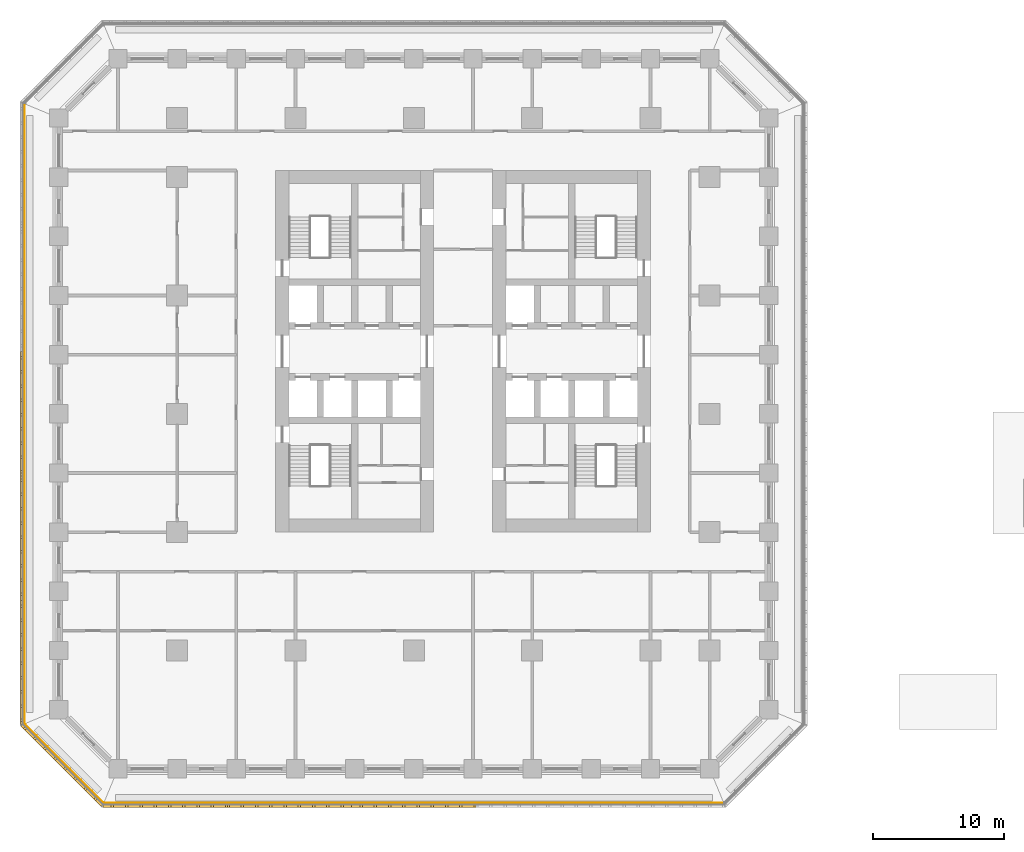
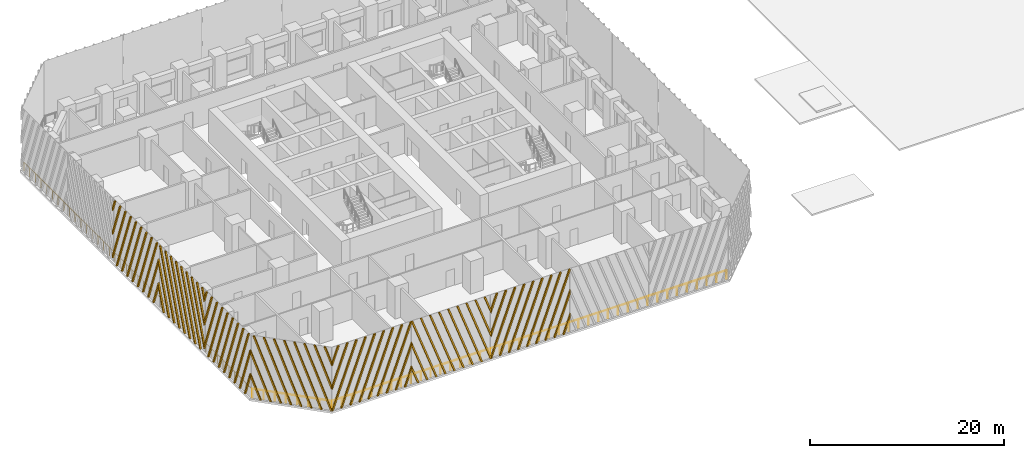
# One storey, part 10 of 15: 7 shading devices, 3 railings.
"""IFC4 building model written with IfcOpenShell, lengths in metres."""

from ifc_helpers import new_model, si_unit, direction, frame, origin, origin_2d, place, context, subcontext, project, spatial, polyline, circle, outline, extrude, source, transform, mapped, material, type_object, element, save


model = new_model("IFC4")

# Units and contexts
model_context = context("Model", 3, precision=1e-05, world=origin(), true_north=direction((0.0, 1.0)))
body_context = subcontext(model_context, "Body", "Model", "MODEL_VIEW")
ifc_project = project(units=[si_unit("LENGTHUNIT", "METRE"), si_unit("AREAUNIT", "SQUARE_METRE"), si_unit("VOLUMEUNIT", "CUBIC_METRE"), si_unit("PLANEANGLEUNIT", "RADIAN"), si_unit("MASSUNIT", "GRAM", prefix="KILO")], contexts=[model_context])

# Site, building, storey
site_placement = place(None, origin())
site = spatial("IfcSite", under=ifc_project, at=site_placement, CompositionType="ELEMENT")
building_placement = place(site_placement, origin())
building = spatial("IfcBuilding", under=site, at=building_placement, Name="Corbel Stack Research Tower", CompositionType="ELEMENT")
storey_placement = place(building_placement, frame((0.0, 0.0, 23.60009765625)))
storey = spatial("IfcBuildingStorey", under=building, at=storey_placement, Name="L05", CompositionType="ELEMENT", Elevation=23.60009765625)

# Railings
ifc_material_1 = material(Name="Powder-coated steel guard", Category="steel")
railing_type = type_object("IfcRailingType", Name="Steel and glass guard 1100", PredefinedType="GUARDRAIL", material=ifc_material_1)
railing_1_placement = place(storey_placement, frame((-23.50537109375, -29.60009765625, 0.0)))
element("IfcRailing", 1, at=railing_1_placement, inside=storey, type_object=railing_type, Name="Loggia guard L05 S", PredefinedType="GUARDRAIL", context=body_context, shape_type="SweptSolid", body=[
    extrude(circle(Radius=0.02392578125, at=origin_2d()), frame((0.0, 0.0, 1.076171875), z_axis=(1.0, 0.0, 0.0), x_axis=(0.0, 1.0, 0.0)), (0.0, 0.0, 1.0), 47.0107421875),
    extrude(circle(Radius=0.02099609375, at=origin_2d()), origin(), (0.0, 0.0, 1.0), 1.052001953125),
    extrude(circle(Radius=0.02099609375, at=origin_2d()), frame((1.17529296875, 0.0, 0.0)), (0.0, 0.0, 1.0), 1.052001953125),
    extrude(circle(Radius=0.02099609375, at=origin_2d()), frame((2.3505859375, 0.0, 0.0)), (0.0, 0.0, 1.0), 1.052001953125),
    extrude(circle(Radius=0.02099609375, at=origin_2d()), frame((3.52587890625, 0.0, 0.0)), (0.0, 0.0, 1.0), 1.052001953125),
    extrude(circle(Radius=0.02099609375, at=origin_2d()), frame((4.701171875, 0.0, 0.0)), (0.0, 0.0, 1.0), 1.052001953125),
    extrude(circle(Radius=0.02099609375, at=origin_2d()), frame((5.87646484375, 0.0, 0.0)), (0.0, 0.0, 1.0), 1.052001953125),
    extrude(circle(Radius=0.02099609375, at=origin_2d()), frame((7.051513671875, 0.0, 0.0)), (0.0, 0.0, 1.0), 1.052001953125),
    extrude(circle(Radius=0.02099609375, at=origin_2d()), frame((8.226806640625, 0.0, 0.0)), (0.0, 0.0, 1.0), 1.052001953125),
    extrude(circle(Radius=0.02099609375, at=origin_2d()), frame((9.402099609375, 0.0, 0.0)), (0.0, 0.0, 1.0), 1.052001953125),
    extrude(circle(Radius=0.02099609375, at=origin_2d()), frame((10.577392578125, 0.0, 0.0)), (0.0, 0.0, 1.0), 1.052001953125),
    extrude(circle(Radius=0.02099609375, at=origin_2d()), frame((11.752685546875, 0.0, 0.0)), (0.0, 0.0, 1.0), 1.052001953125),
    extrude(circle(Radius=0.02099609375, at=origin_2d()), frame((12.927978515625, 0.0, 0.0)), (0.0, 0.0, 1.0), 1.052001953125),
    extrude(circle(Radius=0.02099609375, at=origin_2d()), frame((14.103271484375, 0.0, 0.0)), (0.0, 0.0, 1.0), 1.052001953125),
    extrude(circle(Radius=0.02099609375, at=origin_2d()), frame((15.278564453125, 0.0, 0.0)), (0.0, 0.0, 1.0), 1.052001953125),
    extrude(circle(Radius=0.02099609375, at=origin_2d()), frame((16.453857421875, 0.0, 0.0)), (0.0, 0.0, 1.0), 1.052001953125),
    extrude(circle(Radius=0.02099609375, at=origin_2d()), frame((17.62890625, 0.0, 0.0)), (0.0, 0.0, 1.0), 1.052001953125),
    extrude(circle(Radius=0.02099609375, at=origin_2d()), frame((18.80419921875, 0.0, 0.0)), (0.0, 0.0, 1.0), 1.052001953125),
    extrude(circle(Radius=0.02099609375, at=origin_2d()), frame((19.9794921875, 0.0, 0.0)), (0.0, 0.0, 1.0), 1.052001953125),
    extrude(circle(Radius=0.02099609375, at=origin_2d()), frame((21.15478515625, 0.0, 0.0)), (0.0, 0.0, 1.0), 1.052001953125),
    extrude(circle(Radius=0.02099609375, at=origin_2d()), frame((22.330078125, 0.0, 0.0)), (0.0, 0.0, 1.0), 1.052001953125),
    extrude(circle(Radius=0.02099609375, at=origin_2d()), frame((23.50537109375, 0.0, 0.0)), (0.0, 0.0, 1.0), 1.052001953125),
    extrude(circle(Radius=0.02099609375, at=origin_2d()), frame((24.6806640625, 0.0, 0.0)), (0.0, 0.0, 1.0), 1.052001953125),
    extrude(circle(Radius=0.02099609375, at=origin_2d()), frame((25.85595703125, 0.0, 0.0)), (0.0, 0.0, 1.0), 1.052001953125),
    extrude(circle(Radius=0.02099609375, at=origin_2d()), frame((27.03125, 0.0, 0.0)), (0.0, 0.0, 1.0), 1.052001953125),
    extrude(circle(Radius=0.02099609375, at=origin_2d()), frame((28.20654296875, 0.0, 0.0)), (0.0, 0.0, 1.0), 1.052001953125),
    extrude(circle(Radius=0.02099609375, at=origin_2d()), frame((29.3818359375, 0.0, 0.0)), (0.0, 0.0, 1.0), 1.052001953125),
    extrude(circle(Radius=0.02099609375, at=origin_2d()), frame((30.556884765625, 0.0, 0.0)), (0.0, 0.0, 1.0), 1.052001953125),
    extrude(circle(Radius=0.02099609375, at=origin_2d()), frame((31.732177734375, 0.0, 0.0)), (0.0, 0.0, 1.0), 1.052001953125),
    extrude(circle(Radius=0.02099609375, at=origin_2d()), frame((32.907470703125, 0.0, 0.0)), (0.0, 0.0, 1.0), 1.052001953125),
    extrude(circle(Radius=0.02099609375, at=origin_2d()), frame((34.082763671875, 0.0, 0.0)), (0.0, 0.0, 1.0), 1.052001953125),
    extrude(circle(Radius=0.02099609375, at=origin_2d()), frame((35.258056640625, 0.0, 0.0)), (0.0, 0.0, 1.0), 1.052001953125),
    extrude(circle(Radius=0.02099609375, at=origin_2d()), frame((36.433349609375, 0.0, 0.0)), (0.0, 0.0, 1.0), 1.052001953125),
    extrude(circle(Radius=0.02099609375, at=origin_2d()), frame((37.608642578125, 0.0, 0.0)), (0.0, 0.0, 1.0), 1.052001953125),
    extrude(circle(Radius=0.02099609375, at=origin_2d()), frame((38.783935546875, 0.0, 0.0)), (0.0, 0.0, 1.0), 1.052001953125),
    extrude(circle(Radius=0.02099609375, at=origin_2d()), frame((39.959228515625, 0.0, 0.0)), (0.0, 0.0, 1.0), 1.052001953125),
    extrude(circle(Radius=0.02099609375, at=origin_2d()), frame((41.13427734375, 0.0, 0.0)), (0.0, 0.0, 1.0), 1.052001953125),
    extrude(circle(Radius=0.02099609375, at=origin_2d()), frame((42.3095703125, 0.0, 0.0)), (0.0, 0.0, 1.0), 1.052001953125),
    extrude(circle(Radius=0.02099609375, at=origin_2d()), frame((43.48486328125, 0.0, 0.0)), (0.0, 0.0, 1.0), 1.052001953125),
    extrude(circle(Radius=0.02099609375, at=origin_2d()), frame((44.66015625, 0.0, 0.0)), (0.0, 0.0, 1.0), 1.052001953125),
    extrude(circle(Radius=0.02099609375, at=origin_2d()), frame((45.83544921875, 0.0, 0.0)), (0.0, 0.0, 1.0), 1.052001953125),
    extrude(circle(Radius=0.02099609375, at=origin_2d()), frame((47.0107421875, 0.0, 0.0)), (0.0, 0.0, 1.0), 1.052001953125),
])
railing_2_placement = place(storey_placement, frame((-29.60009765625, 23.50537109375, 0.0)))
element("IfcRailing", 2, at=railing_2_placement, inside=storey, type_object=railing_type, Name="Loggia guard L05 W", PredefinedType="GUARDRAIL", context=body_context, shape_type="SweptSolid", body=[
    extrude(circle(Radius=0.02392578125, at=origin_2d()), frame((0.0, 0.0, 1.076171875), z_axis=(0.0, -1.0, 0.0), x_axis=(1.0, 0.0, 0.0)), (0.0, 0.0, 1.0), 47.0107421875),
    extrude(circle(Radius=0.02099609375, at=origin_2d()), origin(), (0.0, 0.0, 1.0), 1.052001953125),
    extrude(circle(Radius=0.02099609375, at=origin_2d()), frame((0.0, -1.17529296875, 0.0)), (0.0, 0.0, 1.0), 1.052001953125),
    extrude(circle(Radius=0.02099609375, at=origin_2d()), frame((0.0, -2.3505859375, 0.0)), (0.0, 0.0, 1.0), 1.052001953125),
    extrude(circle(Radius=0.02099609375, at=origin_2d()), frame((0.0, -3.52587890625, 0.0)), (0.0, 0.0, 1.0), 1.052001953125),
    extrude(circle(Radius=0.02099609375, at=origin_2d()), frame((0.0, -4.701171875, 0.0)), (0.0, 0.0, 1.0), 1.052001953125),
    extrude(circle(Radius=0.02099609375, at=origin_2d()), frame((0.0, -5.87646484375, 0.0)), (0.0, 0.0, 1.0), 1.052001953125),
    extrude(circle(Radius=0.02099609375, at=origin_2d()), frame((0.0, -7.051513671875, 0.0)), (0.0, 0.0, 1.0), 1.052001953125),
    extrude(circle(Radius=0.02099609375, at=origin_2d()), frame((0.0, -8.226806640625, 0.0)), (0.0, 0.0, 1.0), 1.052001953125),
    extrude(circle(Radius=0.02099609375, at=origin_2d()), frame((0.0, -9.402099609375, 0.0)), (0.0, 0.0, 1.0), 1.052001953125),
    extrude(circle(Radius=0.02099609375, at=origin_2d()), frame((0.0, -10.577392578125, 0.0)), (0.0, 0.0, 1.0), 1.052001953125),
    extrude(circle(Radius=0.02099609375, at=origin_2d()), frame((0.0, -11.752685546875, 0.0)), (0.0, 0.0, 1.0), 1.052001953125),
    extrude(circle(Radius=0.02099609375, at=origin_2d()), frame((0.0, -12.927978515625, 0.0)), (0.0, 0.0, 1.0), 1.052001953125),
    extrude(circle(Radius=0.02099609375, at=origin_2d()), frame((0.0, -14.103271484375, 0.0)), (0.0, 0.0, 1.0), 1.052001953125),
    extrude(circle(Radius=0.02099609375, at=origin_2d()), frame((0.0, -15.278564453125, 0.0)), (0.0, 0.0, 1.0), 1.052001953125),
    extrude(circle(Radius=0.02099609375, at=origin_2d()), frame((0.0, -16.453857421875, 0.0)), (0.0, 0.0, 1.0), 1.052001953125),
    extrude(circle(Radius=0.02099609375, at=origin_2d()), frame((0.0, -17.62890625, 0.0)), (0.0, 0.0, 1.0), 1.052001953125),
    extrude(circle(Radius=0.02099609375, at=origin_2d()), frame((0.0, -18.80419921875, 0.0)), (0.0, 0.0, 1.0), 1.052001953125),
    extrude(circle(Radius=0.02099609375, at=origin_2d()), frame((0.0, -19.9794921875, 0.0)), (0.0, 0.0, 1.0), 1.052001953125),
    extrude(circle(Radius=0.02099609375, at=origin_2d()), frame((0.0, -21.15478515625, 0.0)), (0.0, 0.0, 1.0), 1.052001953125),
    extrude(circle(Radius=0.02099609375, at=origin_2d()), frame((0.0, -22.330078125, 0.0)), (0.0, 0.0, 1.0), 1.052001953125),
    extrude(circle(Radius=0.02099609375, at=origin_2d()), frame((0.0, -23.50537109375, 0.0)), (0.0, 0.0, 1.0), 1.052001953125),
    extrude(circle(Radius=0.02099609375, at=origin_2d()), frame((0.0, -24.6806640625, 0.0)), (0.0, 0.0, 1.0), 1.052001953125),
    extrude(circle(Radius=0.02099609375, at=origin_2d()), frame((0.0, -25.85595703125, 0.0)), (0.0, 0.0, 1.0), 1.052001953125),
    extrude(circle(Radius=0.02099609375, at=origin_2d()), frame((0.0, -27.03125, 0.0)), (0.0, 0.0, 1.0), 1.052001953125),
    extrude(circle(Radius=0.02099609375, at=origin_2d()), frame((0.0, -28.20654296875, 0.0)), (0.0, 0.0, 1.0), 1.052001953125),
    extrude(circle(Radius=0.02099609375, at=origin_2d()), frame((0.0, -29.3818359375, 0.0)), (0.0, 0.0, 1.0), 1.052001953125),
    extrude(circle(Radius=0.02099609375, at=origin_2d()), frame((0.0, -30.556884765625, 0.0)), (0.0, 0.0, 1.0), 1.052001953125),
    extrude(circle(Radius=0.02099609375, at=origin_2d()), frame((0.0, -31.732177734375, 0.0)), (0.0, 0.0, 1.0), 1.052001953125),
    extrude(circle(Radius=0.02099609375, at=origin_2d()), frame((0.0, -32.907470703125, 0.0)), (0.0, 0.0, 1.0), 1.052001953125),
    extrude(circle(Radius=0.02099609375, at=origin_2d()), frame((0.0, -34.082763671875, 0.0)), (0.0, 0.0, 1.0), 1.052001953125),
    extrude(circle(Radius=0.02099609375, at=origin_2d()), frame((0.0, -35.258056640625, 0.0)), (0.0, 0.0, 1.0), 1.052001953125),
    extrude(circle(Radius=0.02099609375, at=origin_2d()), frame((0.0, -36.433349609375, 0.0)), (0.0, 0.0, 1.0), 1.052001953125),
    extrude(circle(Radius=0.02099609375, at=origin_2d()), frame((0.0, -37.608642578125, 0.0)), (0.0, 0.0, 1.0), 1.052001953125),
    extrude(circle(Radius=0.02099609375, at=origin_2d()), frame((0.0, -38.783935546875, 0.0)), (0.0, 0.0, 1.0), 1.052001953125),
    extrude(circle(Radius=0.02099609375, at=origin_2d()), frame((0.0, -39.959228515625, 0.0)), (0.0, 0.0, 1.0), 1.052001953125),
    extrude(circle(Radius=0.02099609375, at=origin_2d()), frame((0.0, -41.13427734375, 0.0)), (0.0, 0.0, 1.0), 1.052001953125),
    extrude(circle(Radius=0.02099609375, at=origin_2d()), frame((0.0, -42.3095703125, 0.0)), (0.0, 0.0, 1.0), 1.052001953125),
    extrude(circle(Radius=0.02099609375, at=origin_2d()), frame((0.0, -43.48486328125, 0.0)), (0.0, 0.0, 1.0), 1.052001953125),
    extrude(circle(Radius=0.02099609375, at=origin_2d()), frame((0.0, -44.66015625, 0.0)), (0.0, 0.0, 1.0), 1.052001953125),
    extrude(circle(Radius=0.02099609375, at=origin_2d()), frame((0.0, -45.83544921875, 0.0)), (0.0, 0.0, 1.0), 1.052001953125),
    extrude(circle(Radius=0.02099609375, at=origin_2d()), frame((0.0, -47.0107421875, 0.0)), (0.0, 0.0, 1.0), 1.052001953125),
])
railing_3_placement = place(storey_placement, frame((-29.54931640625, -23.627685546875, 0.0)))
element("IfcRailing", 3, at=railing_3_placement, inside=storey, type_object=railing_type, Name="Loggia guard L05 SW", PredefinedType="GUARDRAIL", context=body_context, shape_type="SweptSolid", body=[
    extrude(circle(Radius=0.02392578125, at=origin_2d()), frame((0.0, 0.0, 1.076171875), z_axis=(0.707106781187, -0.707106781187, 0.0), x_axis=(0.707106781187, 0.707106781187, 0.0)), (0.0, 0.0, 1.0), 8.37451171875),
    extrude(circle(Radius=0.02099609375, at=origin_2d()), origin(), (0.0, 0.0, 1.0), 1.052001953125),
    extrude(circle(Radius=0.02099609375, at=origin_2d()), frame((0.845947265625, -0.845947265625, 0.0)), (0.0, 0.0, 1.0), 1.052001953125),
    extrude(circle(Radius=0.02099609375, at=origin_2d()), frame((1.69189453125, -1.69189453125, 0.0)), (0.0, 0.0, 1.0), 1.052001953125),
    extrude(circle(Radius=0.02099609375, at=origin_2d()), frame((2.537841796875, -2.537841796875, 0.0)), (0.0, 0.0, 1.0), 1.052001953125),
    extrude(circle(Radius=0.02099609375, at=origin_2d()), frame((3.3837890625, -3.3837890625, 0.0)), (0.0, 0.0, 1.0), 1.052001953125),
    extrude(circle(Radius=0.02099609375, at=origin_2d()), frame((4.229736328125, -4.229736328125, 0.0)), (0.0, 0.0, 1.0), 1.052001953125),
    extrude(circle(Radius=0.02099609375, at=origin_2d()), frame((5.07568359375, -5.07568359375, 0.0)), (0.0, 0.0, 1.0), 1.052001953125),
    extrude(circle(Radius=0.02099609375, at=origin_2d()), frame((5.921630859375, -5.921630859375, 0.0)), (0.0, 0.0, 1.0), 1.052001953125),
])

# Shading devices
ifc_material_2 = material(Name="Precast terracotta", Category="masonry")
shading_device_type = type_object("IfcShadingDeviceType", Name="Terracotta screen panel", PredefinedType="USERDEFINED", material=ifc_material_2)
shared_shape_1 = source(origin(), body_context, "Body", "SweptSolid", [
    extrude(outline(polyline([(0.819091796875, 7.949951171875), (0.629150390625, 7.949951171875), (0.0, 6.22119140625), (0.0, 5.69921875), (0.819091796875, 7.949951171875)])), frame((0.0, 0.0, 0.0), z_axis=(0.0, -1.0, 0.0), x_axis=(1.0, 0.0, 0.0)), (0.0, 0.0, 1.0), 0.179931640625),
    extrude(outline(polyline([(1.90380859375, 7.949951171875), (1.7138671875, 7.949951171875), (0.0, 3.2412109375), (0.0, 2.718994140625), (1.90380859375, 7.949951171875)])), frame((0.0, 0.0, 0.0), z_axis=(0.0, -1.0, 0.0), x_axis=(1.0, 0.0, 0.0)), (0.0, 0.0, 1.0), 0.179931640625),
    extrude(outline(polyline([(0.094970703125, 0.0), (2.988525390625, 7.949951171875), (2.798583984375, 7.949951171875), (0.0, 0.260986328125), (0.0, 0.0), (0.094970703125, 0.0)])), frame((0.0, 0.0, 0.0), z_axis=(0.0, -1.0, 0.0), x_axis=(1.0, 0.0, 0.0)), (0.0, 0.0, 1.0), 0.179931640625),
    extrude(outline(polyline([(1.1796875, 0.0), (4.0732421875, 7.949951171875), (3.88330078125, 7.949951171875), (0.98974609375, 0.0), (1.1796875, 0.0)])), frame((0.0, 0.0, 0.0), z_axis=(0.0, -1.0, 0.0), x_axis=(1.0, 0.0, 0.0)), (0.0, 0.0, 1.0), 0.179931640625),
    extrude(outline(polyline([(2.264404296875, 0.0), (5.157958984375, 7.949951171875), (4.968017578125, 7.949951171875), (2.07421875, 0.0), (2.264404296875, 0.0)])), frame((0.0, 0.0, 0.0), z_axis=(0.0, -1.0, 0.0), x_axis=(1.0, 0.0, 0.0)), (0.0, 0.0, 1.0), 0.179931640625),
    extrude(outline(polyline([(3.34912109375, 0.0), (6.24267578125, 7.949951171875), (6.052490234375, 7.949951171875), (3.158935546875, 0.0), (3.34912109375, 0.0)])), frame((0.0, 0.0, 0.0), z_axis=(0.0, -1.0, 0.0), x_axis=(1.0, 0.0, 0.0)), (0.0, 0.0, 1.0), 0.179931640625),
    extrude(outline(polyline([(4.43359375, 0.0), (7.3271484375, 7.949951171875), (7.13720703125, 7.949951171875), (4.24365234375, 0.0), (4.43359375, 0.0)])), frame((0.0, 0.0, 0.0), z_axis=(0.0, -1.0, 0.0), x_axis=(1.0, 0.0, 0.0)), (0.0, 0.0, 1.0), 0.179931640625),
    extrude(outline(polyline([(5.518310546875, 0.0), (8.411865234375, 7.949951171875), (8.221923828125, 7.949951171875), (5.328369140625, 0.0), (5.518310546875, 0.0)])), frame((0.0, 0.0, 0.0), z_axis=(0.0, -1.0, 0.0), x_axis=(1.0, 0.0, 0.0)), (0.0, 0.0, 1.0), 0.179931640625),
    extrude(outline(polyline([(6.60302734375, 0.0), (9.45556640625, 7.837646484375), (9.45556640625, 7.949951171875), (9.306640625, 7.949951171875), (6.4130859375, 0.0), (6.60302734375, 0.0)])), frame((0.0, 0.0, 0.0), z_axis=(0.0, -1.0, 0.0), x_axis=(1.0, 0.0, 0.0)), (0.0, 0.0, 1.0), 0.179931640625),
    extrude(outline(polyline([(7.687744140625, 0.0), (9.45556640625, 4.857421875), (9.45556640625, 5.37939453125), (7.497802734375, 0.0), (7.687744140625, 0.0)])), frame((0.0, 0.0, 0.0), z_axis=(0.0, -1.0, 0.0), x_axis=(1.0, 0.0, 0.0)), (0.0, 0.0, 1.0), 0.179931640625),
    extrude(outline(polyline([(8.772216796875, 0.0), (9.45556640625, 1.87744140625), (9.45556640625, 2.3994140625), (8.582275390625, 0.0), (8.772216796875, 0.0)])), frame((0.0, 0.0, 0.0), z_axis=(0.0, -1.0, 0.0), x_axis=(1.0, 0.0, 0.0)), (0.0, 0.0, 1.0), 0.179931640625),
])
for number, where, z_axis, x_axis, name in (
    (4, (-23.63916015625, -29.75, 0.0), (0.0, 0.0, 1.0), (1.0, 0.0, 0.0), "Terracotta screen L05 S1"),
    (5, (-4.727783203125, -29.75, 0.0), (0.0, 0.0, 1.0), (1.0, 0.0, 0.0), "Terracotta screen L05 S3"),
):
    element("IfcShadingDevice", number, at=place(storey_placement, frame(where, z_axis=z_axis, x_axis=x_axis)), inside=storey, type_object=shading_device_type, Name=name, ObjectType="SCREEN", PredefinedType="USERDEFINED", context=body_context, shape_type="MappedRepresentation", body=[
        mapped(shared_shape_1, transform((0.0, 0.0, 0.0))),
    ])
shared_shape_2 = source(origin(), body_context, "Body", "SweptSolid", [
    extrude(outline(polyline([(0.873291015625, 0.0), (0.0, 2.3994140625), (0.0, 1.87744140625), (0.683349609375, 0.0), (0.873291015625, 0.0)])), frame((0.0, 0.0, 0.0), z_axis=(0.0, -1.0, 0.0), x_axis=(1.0, 0.0, 0.0)), (0.0, 0.0, 1.0), 0.179931640625),
    extrude(outline(polyline([(1.9580078125, 0.0), (0.0, 5.37939453125), (0.0, 4.857421875), (1.76806640625, 0.0), (1.9580078125, 0.0)])), frame((0.0, 0.0, 0.0), z_axis=(0.0, -1.0, 0.0), x_axis=(1.0, 0.0, 0.0)), (0.0, 0.0, 1.0), 0.179931640625),
    extrude(outline(polyline([(3.04248046875, 0.0), (0.149169921875, 7.949951171875), (0.0, 7.949951171875), (0.0, 7.837646484375), (2.8525390625, 0.0), (3.04248046875, 0.0)])), frame((0.0, 0.0, 0.0), z_axis=(0.0, -1.0, 0.0), x_axis=(1.0, 0.0, 0.0)), (0.0, 0.0, 1.0), 0.179931640625),
    extrude(outline(polyline([(4.127197265625, 0.0), (1.233642578125, 7.949951171875), (1.043701171875, 7.949951171875), (3.937255859375, 0.0), (4.127197265625, 0.0)])), frame((0.0, 0.0, 0.0), z_axis=(0.0, -1.0, 0.0), x_axis=(1.0, 0.0, 0.0)), (0.0, 0.0, 1.0), 0.179931640625),
    extrude(outline(polyline([(5.2119140625, 0.0), (2.318359375, 7.949951171875), (2.12841796875, 7.949951171875), (5.02197265625, 0.0), (5.2119140625, 0.0)])), frame((0.0, 0.0, 0.0), z_axis=(0.0, -1.0, 0.0), x_axis=(1.0, 0.0, 0.0)), (0.0, 0.0, 1.0), 0.179931640625),
    extrude(outline(polyline([(6.296630859375, 0.0), (3.403076171875, 7.949951171875), (3.213134765625, 7.949951171875), (6.106689453125, 0.0), (6.296630859375, 0.0)])), frame((0.0, 0.0, 0.0), z_axis=(0.0, -1.0, 0.0), x_axis=(1.0, 0.0, 0.0)), (0.0, 0.0, 1.0), 0.179931640625),
    extrude(outline(polyline([(7.38134765625, 0.0), (4.48779296875, 7.949951171875), (4.297607421875, 7.949951171875), (7.19140625, 0.0), (7.38134765625, 0.0)])), frame((0.0, 0.0, 0.0), z_axis=(0.0, -1.0, 0.0), x_axis=(1.0, 0.0, 0.0)), (0.0, 0.0, 1.0), 0.179931640625),
    extrude(outline(polyline([(8.466064453125, 0.0), (5.572509765625, 7.949951171875), (5.38232421875, 7.949951171875), (8.27587890625, 0.0), (8.466064453125, 0.0)])), frame((0.0, 0.0, 0.0), z_axis=(0.0, -1.0, 0.0), x_axis=(1.0, 0.0, 0.0)), (0.0, 0.0, 1.0), 0.179931640625),
    extrude(outline(polyline([(9.45556640625, 0.0), (9.45556640625, 0.260986328125), (6.656982421875, 7.949951171875), (6.467041015625, 7.949951171875), (9.360595703125, 0.0), (9.45556640625, 0.0)])), frame((0.0, 0.0, 0.0), z_axis=(0.0, -1.0, 0.0), x_axis=(1.0, 0.0, 0.0)), (0.0, 0.0, 1.0), 0.179931640625),
    extrude(outline(polyline([(7.74169921875, 7.949951171875), (7.5517578125, 7.949951171875), (9.45556640625, 2.718994140625), (9.45556640625, 3.2412109375), (7.74169921875, 7.949951171875)])), frame((0.0, 0.0, 0.0), z_axis=(0.0, -1.0, 0.0), x_axis=(1.0, 0.0, 0.0)), (0.0, 0.0, 1.0), 0.179931640625),
    extrude(outline(polyline([(8.826416015625, 7.949951171875), (8.636474609375, 7.949951171875), (9.45556640625, 5.69921875), (9.45556640625, 6.22119140625), (8.826416015625, 7.949951171875)])), frame((0.0, 0.0, 0.0), z_axis=(0.0, -1.0, 0.0), x_axis=(1.0, 0.0, 0.0)), (0.0, 0.0, 1.0), 0.179931640625),
])
shading_device_1_placement = place(storey_placement, frame((-14.18359375, -29.75, 0.0), z_axis=(0.0, 0.0, 1.0), x_axis=(1.0, 0.0, 0.0)))
element("IfcShadingDevice", 6, at=shading_device_1_placement, inside=storey, type_object=shading_device_type, Name="Terracotta screen L05 S2", ObjectType="SCREEN", PredefinedType="USERDEFINED", context=body_context, shape_type="MappedRepresentation", body=[
    mapped(shared_shape_2, transform((0.0, 0.0, 0.0))),
])
shared_shape_3 = source(origin(), body_context, "Body", "SweptSolid", [
    extrude(outline(polyline([(0.548095703125, 7.949951171875), (0.358154296875, 7.949951171875), (0.0, 6.96630859375), (0.0, 6.444091796875), (0.548095703125, 7.949951171875)])), frame((0.0, 0.0, 0.0), z_axis=(0.0, -1.0, 0.0), x_axis=(1.0, 0.0, 0.0)), (0.0, 0.0, 1.0), 0.179931640625),
    extrude(outline(polyline([(1.6328125, 7.949951171875), (1.442626953125, 7.949951171875), (0.0, 3.986083984375), (0.0, 3.464111328125), (1.6328125, 7.949951171875)])), frame((0.0, 0.0, 0.0), z_axis=(0.0, -1.0, 0.0), x_axis=(1.0, 0.0, 0.0)), (0.0, 0.0, 1.0), 0.179931640625),
    extrude(outline(polyline([(2.71728515625, 7.949951171875), (2.52734375, 7.949951171875), (0.0, 1.006103515625), (0.0, 0.48388671875), (2.71728515625, 7.949951171875)])), frame((0.0, 0.0, 0.0), z_axis=(0.0, -1.0, 0.0), x_axis=(1.0, 0.0, 0.0)), (0.0, 0.0, 1.0), 0.179931640625),
    extrude(outline(polyline([(0.908447265625, 0.0), (3.802001953125, 7.949951171875), (3.612060546875, 7.949951171875), (0.718505859375, 0.0), (0.908447265625, 0.0)])), frame((0.0, 0.0, 0.0), z_axis=(0.0, -1.0, 0.0), x_axis=(1.0, 0.0, 0.0)), (0.0, 0.0, 1.0), 0.179931640625),
    extrude(outline(polyline([(1.9931640625, 0.0), (4.88671875, 7.949951171875), (4.69677734375, 7.949951171875), (1.80322265625, 0.0), (1.9931640625, 0.0)])), frame((0.0, 0.0, 0.0), z_axis=(0.0, -1.0, 0.0), x_axis=(1.0, 0.0, 0.0)), (0.0, 0.0, 1.0), 0.179931640625),
    extrude(outline(polyline([(3.077880859375, 0.0), (5.971435546875, 7.949951171875), (5.781494140625, 7.949951171875), (2.8876953125, 0.0), (3.077880859375, 0.0)])), frame((0.0, 0.0, 0.0), z_axis=(0.0, -1.0, 0.0), x_axis=(1.0, 0.0, 0.0)), (0.0, 0.0, 1.0), 0.179931640625),
    extrude(outline(polyline([(4.16259765625, 0.0), (7.05615234375, 7.949951171875), (6.8662109375, 7.949951171875), (3.972412109375, 0.0), (4.16259765625, 0.0)])), frame((0.0, 0.0, 0.0), z_axis=(0.0, -1.0, 0.0), x_axis=(1.0, 0.0, 0.0)), (0.0, 0.0, 1.0), 0.179931640625),
    extrude(outline(polyline([(5.247314453125, 0.0), (8.140625, 7.949951171875), (7.95068359375, 7.949951171875), (5.05712890625, 0.0), (5.247314453125, 0.0)])), frame((0.0, 0.0, 0.0), z_axis=(0.0, -1.0, 0.0), x_axis=(1.0, 0.0, 0.0)), (0.0, 0.0, 1.0), 0.179931640625),
    extrude(outline(polyline([(6.331787109375, 0.0), (9.225341796875, 7.949951171875), (9.035400390625, 7.949951171875), (6.141845703125, 0.0), (6.331787109375, 0.0)])), frame((0.0, 0.0, 0.0), z_axis=(0.0, -1.0, 0.0), x_axis=(1.0, 0.0, 0.0)), (0.0, 0.0, 1.0), 0.179931640625),
    extrude(outline(polyline([(7.41650390625, 0.0), (9.45556640625, 5.6025390625), (9.45556640625, 6.12451171875), (7.2265625, 0.0), (7.41650390625, 0.0)])), frame((0.0, 0.0, 0.0), z_axis=(0.0, -1.0, 0.0), x_axis=(1.0, 0.0, 0.0)), (0.0, 0.0, 1.0), 0.179931640625),
    extrude(outline(polyline([(8.501220703125, 0.0), (9.45556640625, 2.622314453125), (9.45556640625, 3.144287109375), (8.311279296875, 0.0), (8.501220703125, 0.0)])), frame((0.0, 0.0, 0.0), z_axis=(0.0, -1.0, 0.0), x_axis=(1.0, 0.0, 0.0)), (0.0, 0.0, 1.0), 0.179931640625),
])
for number, where, z_axis, x_axis, name in (
    (7, (-29.75, 4.727783203125, 0.0), (0.0, 0.0, 1.0), (0.0, -1.0, 0.0), "Terracotta screen L05 W3"),
    (8, (-29.75, -14.18359375, 0.0), (0.0, 0.0, 1.0), (0.0, -1.0, 0.0), "Terracotta screen L05 W5"),
):
    element("IfcShadingDevice", number, at=place(storey_placement, frame(where, z_axis=z_axis, x_axis=x_axis)), inside=storey, type_object=shading_device_type, Name=name, ObjectType="SCREEN", PredefinedType="USERDEFINED", context=body_context, shape_type="MappedRepresentation", body=[
        mapped(shared_shape_3, transform((0.0, 0.0, 0.0))),
    ])
shared_shape_4 = source(origin(), body_context, "Body", "SweptSolid", [
    extrude(outline(polyline([(1.14453125, 0.0), (0.0, 3.144287109375), (0.0, 2.622314453125), (0.95458984375, 0.0), (1.14453125, 0.0)])), frame((0.0, 0.0, 0.0), z_axis=(0.0, -1.0, 0.0), x_axis=(1.0, 0.0, 0.0)), (0.0, 0.0, 1.0), 0.179931640625),
    extrude(outline(polyline([(2.22900390625, 0.0), (0.0, 6.12451171875), (0.0, 5.6025390625), (2.0390625, 0.0), (2.22900390625, 0.0)])), frame((0.0, 0.0, 0.0), z_axis=(0.0, -1.0, 0.0), x_axis=(1.0, 0.0, 0.0)), (0.0, 0.0, 1.0), 0.179931640625),
    extrude(outline(polyline([(3.313720703125, 0.0), (0.420166015625, 7.949951171875), (0.230224609375, 7.949951171875), (3.123779296875, 0.0), (3.313720703125, 0.0)])), frame((0.0, 0.0, 0.0), z_axis=(0.0, -1.0, 0.0), x_axis=(1.0, 0.0, 0.0)), (0.0, 0.0, 1.0), 0.179931640625),
    extrude(outline(polyline([(4.3984375, 0.0), (1.5048828125, 7.949951171875), (1.31494140625, 7.949951171875), (4.20849609375, 0.0), (4.3984375, 0.0)])), frame((0.0, 0.0, 0.0), z_axis=(0.0, -1.0, 0.0), x_axis=(1.0, 0.0, 0.0)), (0.0, 0.0, 1.0), 0.179931640625),
    extrude(outline(polyline([(5.483154296875, 0.0), (2.589599609375, 7.949951171875), (2.399658203125, 7.949951171875), (5.293212890625, 0.0), (5.483154296875, 0.0)])), frame((0.0, 0.0, 0.0), z_axis=(0.0, -1.0, 0.0), x_axis=(1.0, 0.0, 0.0)), (0.0, 0.0, 1.0), 0.179931640625),
    extrude(outline(polyline([(6.56787109375, 0.0), (3.67431640625, 7.949951171875), (3.484130859375, 7.949951171875), (6.377685546875, 0.0), (6.56787109375, 0.0)])), frame((0.0, 0.0, 0.0), z_axis=(0.0, -1.0, 0.0), x_axis=(1.0, 0.0, 0.0)), (0.0, 0.0, 1.0), 0.179931640625),
    extrude(outline(polyline([(7.652587890625, 0.0), (4.7587890625, 7.949951171875), (4.56884765625, 7.949951171875), (7.46240234375, 0.0), (7.652587890625, 0.0)])), frame((0.0, 0.0, 0.0), z_axis=(0.0, -1.0, 0.0), x_axis=(1.0, 0.0, 0.0)), (0.0, 0.0, 1.0), 0.179931640625),
    extrude(outline(polyline([(8.737060546875, 0.0), (5.843505859375, 7.949951171875), (5.653564453125, 7.949951171875), (8.547119140625, 0.0), (8.737060546875, 0.0)])), frame((0.0, 0.0, 0.0), z_axis=(0.0, -1.0, 0.0), x_axis=(1.0, 0.0, 0.0)), (0.0, 0.0, 1.0), 0.179931640625),
    extrude(outline(polyline([(6.92822265625, 7.949951171875), (6.73828125, 7.949951171875), (9.45556640625, 0.48388671875), (9.45556640625, 1.006103515625), (6.92822265625, 7.949951171875)])), frame((0.0, 0.0, 0.0), z_axis=(0.0, -1.0, 0.0), x_axis=(1.0, 0.0, 0.0)), (0.0, 0.0, 1.0), 0.179931640625),
    extrude(outline(polyline([(8.012939453125, 7.949951171875), (7.822998046875, 7.949951171875), (9.45556640625, 3.464111328125), (9.45556640625, 3.986083984375), (8.012939453125, 7.949951171875)])), frame((0.0, 0.0, 0.0), z_axis=(0.0, -1.0, 0.0), x_axis=(1.0, 0.0, 0.0)), (0.0, 0.0, 1.0), 0.179931640625),
    extrude(outline(polyline([(9.09765625, 7.949951171875), (8.90771484375, 7.949951171875), (9.45556640625, 6.444091796875), (9.45556640625, 6.96630859375), (9.09765625, 7.949951171875)])), frame((0.0, 0.0, 0.0), z_axis=(0.0, -1.0, 0.0), x_axis=(1.0, 0.0, 0.0)), (0.0, 0.0, 1.0), 0.179931640625),
])
shading_device_2_placement = place(storey_placement, frame((-29.75, -4.727783203125, 0.0), z_axis=(0.0, 0.0, 1.0), x_axis=(0.0, -1.0, 0.0)))
element("IfcShadingDevice", 9, at=shading_device_2_placement, inside=storey, type_object=shading_device_type, Name="Terracotta screen L05 W4", ObjectType="SCREEN", PredefinedType="USERDEFINED", context=body_context, shape_type="MappedRepresentation", body=[
    mapped(shared_shape_4, transform((0.0, 0.0, 0.0))),
])
shared_shape_5 = source(origin(), body_context, "Body", "SweptSolid", [
    extrude(outline(polyline([(1.14453125, 0.0), (0.0, 3.144287109375), (0.0, 2.622314453125), (0.95458984375, 0.0), (1.14453125, 0.0)])), frame((0.0, 0.0, 0.0), z_axis=(0.0, -1.0, 0.0), x_axis=(1.0, 0.0, 0.0)), (0.0, 0.0, 1.0), 0.179931640625),
    extrude(outline(polyline([(2.22900390625, 0.0), (0.0, 6.12451171875), (0.0, 5.6025390625), (2.0390625, 0.0), (2.22900390625, 0.0)])), frame((0.0, 0.0, 0.0), z_axis=(0.0, -1.0, 0.0), x_axis=(1.0, 0.0, 0.0)), (0.0, 0.0, 1.0), 0.179931640625),
    extrude(outline(polyline([(3.313720703125, 0.0), (0.420166015625, 7.949951171875), (0.230224609375, 7.949951171875), (3.123779296875, 0.0), (3.313720703125, 0.0)])), frame((0.0, 0.0, 0.0), z_axis=(0.0, -1.0, 0.0), x_axis=(1.0, 0.0, 0.0)), (0.0, 0.0, 1.0), 0.179931640625),
    extrude(outline(polyline([(4.3984375, 0.0), (1.5048828125, 7.949951171875), (1.31494140625, 7.949951171875), (4.20849609375, 0.0), (4.3984375, 0.0)])), frame((0.0, 0.0, 0.0), z_axis=(0.0, -1.0, 0.0), x_axis=(1.0, 0.0, 0.0)), (0.0, 0.0, 1.0), 0.179931640625),
    extrude(outline(polyline([(5.483154296875, 0.0), (2.589599609375, 7.949951171875), (2.399658203125, 7.949951171875), (5.293212890625, 0.0), (5.483154296875, 0.0)])), frame((0.0, 0.0, 0.0), z_axis=(0.0, -1.0, 0.0), x_axis=(1.0, 0.0, 0.0)), (0.0, 0.0, 1.0), 0.179931640625),
    extrude(outline(polyline([(6.56787109375, 0.0), (3.67431640625, 7.949951171875), (3.484130859375, 7.949951171875), (6.377685546875, 0.0), (6.56787109375, 0.0)])), frame((0.0, 0.0, 0.0), z_axis=(0.0, -1.0, 0.0), x_axis=(1.0, 0.0, 0.0)), (0.0, 0.0, 1.0), 0.179931640625),
    extrude(outline(polyline([(7.652587890625, 0.0), (4.7587890625, 7.949951171875), (4.56884765625, 7.949951171875), (7.46240234375, 0.0), (7.652587890625, 0.0)])), frame((0.0, 0.0, 0.0), z_axis=(0.0, -1.0, 0.0), x_axis=(1.0, 0.0, 0.0)), (0.0, 0.0, 1.0), 0.179931640625),
    extrude(outline(polyline([(8.64208984375, 0.0), (8.64208984375, 0.260986328125), (5.843505859375, 7.949951171875), (5.653564453125, 7.949951171875), (8.547119140625, 0.0), (8.64208984375, 0.0)])), frame((0.0, 0.0, 0.0), z_axis=(0.0, -1.0, 0.0), x_axis=(1.0, 0.0, 0.0)), (0.0, 0.0, 1.0), 0.179931640625),
    extrude(outline(polyline([(6.92822265625, 7.949951171875), (6.73828125, 7.949951171875), (8.64208984375, 2.718994140625), (8.64208984375, 3.2412109375), (6.92822265625, 7.949951171875)])), frame((0.0, 0.0, 0.0), z_axis=(0.0, -1.0, 0.0), x_axis=(1.0, 0.0, 0.0)), (0.0, 0.0, 1.0), 0.179931640625),
    extrude(outline(polyline([(8.012939453125, 7.949951171875), (7.822998046875, 7.949951171875), (8.64208984375, 5.69921875), (8.64208984375, 6.22119140625), (8.012939453125, 7.949951171875)])), frame((0.0, 0.0, 0.0), z_axis=(0.0, -1.0, 0.0), x_axis=(1.0, 0.0, 0.0)), (0.0, 0.0, 1.0), 0.179931640625),
])
shading_device_3_placement = place(storey_placement, frame((-29.75, -23.63916015625, 0.0), z_axis=(0.0, 0.0, 1.0), x_axis=(0.707106781187, -0.707106781187, 0.0)))
element("IfcShadingDevice", 10, at=shading_device_3_placement, inside=storey, type_object=shading_device_type, Name="Terracotta screen L05 SW1", ObjectType="SCREEN", PredefinedType="USERDEFINED", context=body_context, shape_type="MappedRepresentation", body=[
    mapped(shared_shape_5, transform((0.0, 0.0, 0.0))),
])

save(model, "model.ifc")
